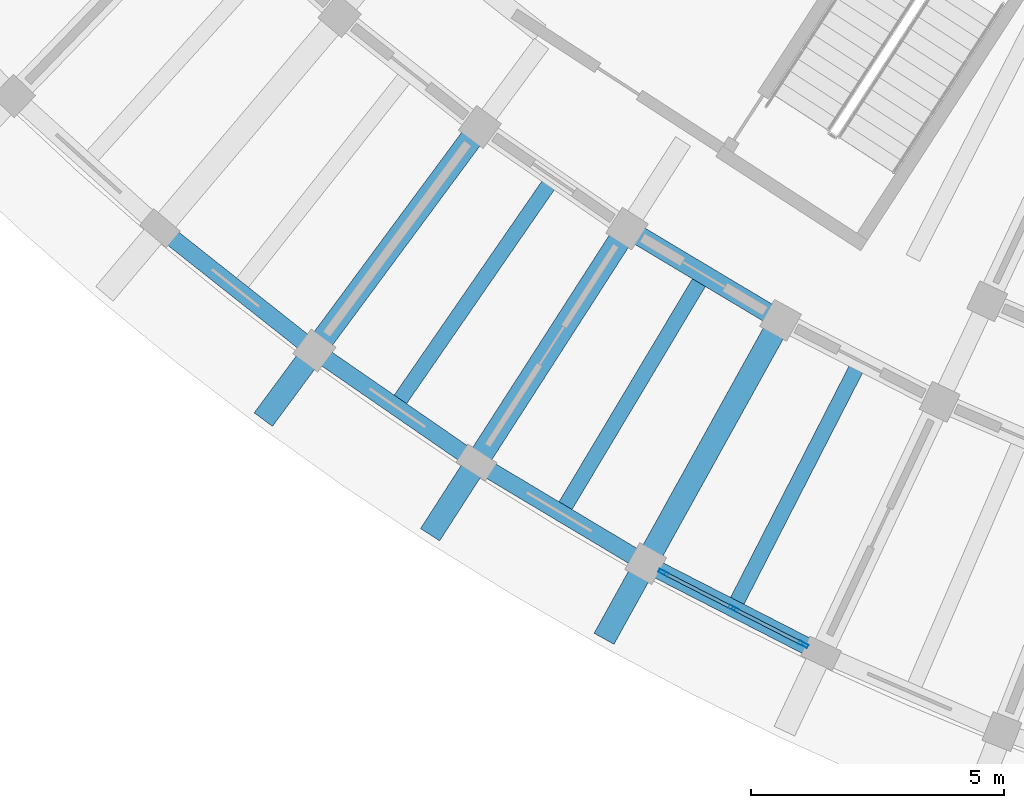
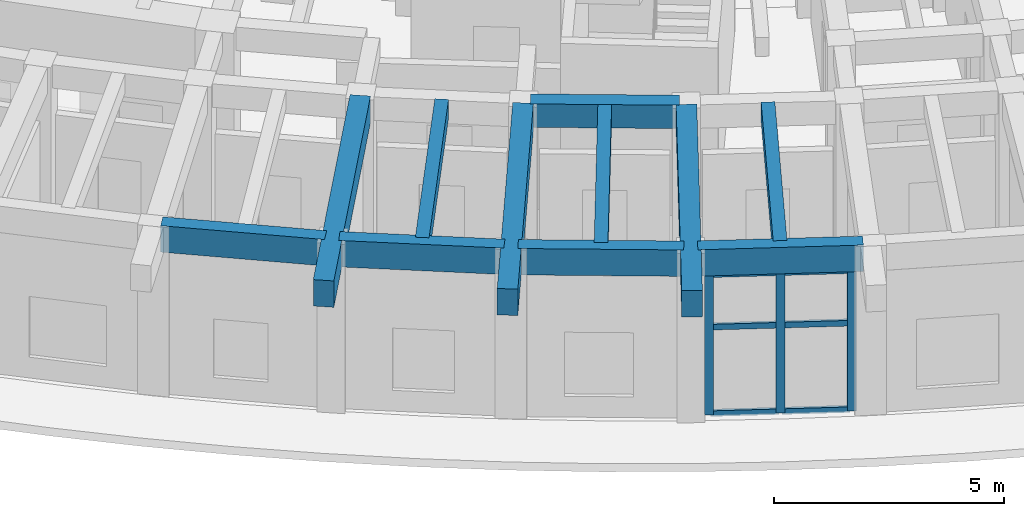
# One storey, part 6 of 132: 11 beams, 9 members, 1 element without a shape of its own.
"""IFC4 building model written with IfcOpenShell, lengths in metres."""

from ifc_helpers import new_model, si_unit, direction, frame, origin, origin_2d, place, context, subcontext, project, spatial, rectangle, hollow_rectangle, extrude, material, material_profile, profile_set, type_object, element, aggregate, save


model = new_model("IFC4")

# Units and contexts
model_context = context("Model", 3, precision=1e-05, world=origin(), true_north=direction((0.0, 1.0)))
body_context = subcontext(model_context, "Body", "Model", "MODEL_VIEW")
ifc_project = project(units=[si_unit("LENGTHUNIT", "METRE"), si_unit("AREAUNIT", "SQUARE_METRE"), si_unit("VOLUMEUNIT", "CUBIC_METRE"), si_unit("PLANEANGLEUNIT", "RADIAN"), si_unit("MASSUNIT", "GRAM", prefix="KILO")], contexts=[model_context])

# Site, building, storey
site_placement = place(None, origin())
site = spatial("IfcSite", under=ifc_project, at=site_placement, CompositionType="ELEMENT")
building_placement = place(site_placement, origin())
building = spatial("IfcBuilding", under=site, at=building_placement, Name="Tanwirah Colonnade Gardens", CompositionType="ELEMENT")
storey_placement = place(building_placement, origin())
storey = spatial("IfcBuildingStorey", under=building, at=storey_placement, Name="L00", CompositionType="ELEMENT", Elevation=0.0)

# Beams
ifc_material_1 = material(Name="Precast concrete C40/50", Category="concrete")
ifc_material_profile_1 = material_profile(ifc_material_1, rectangle(XDim=0.3798828125, YDim=0.6201171875, at=origin_2d()), Name="PC-BM 380x620")
ifc_profile_set_1 = profile_set([ifc_material_profile_1], Name="Precast concrete C40/50")
beam_type_1 = type_object("IfcBeamType", Name="BM-PC380", PredefinedType="BEAM", material=ifc_profile_set_1)
beam_1_placement = place(storey_placement, frame((35.88916015625, 18.96484375, 4.175048828125), z_axis=(0.858270604513, -0.513197398111, 0.0), x_axis=(0.513197398111, 0.858270604513, 0.0)))
element("IfcBeam", 1, at=beam_1_placement, inside=storey, type_object=beam_type_1, Name="Block C L00 Circumferential Beam 11-R2", PredefinedType="BEAM", context=body_context, shape_type="SweptSolid", body=[
    extrude(rectangle(XDim=0.3798828125, YDim=0.6201171875, at=origin_2d()), origin(), (0.0, 0.0, 1.0), 3.23681640625),
])
ifc_material_2 = material(Name="Precast concrete C45/55", Category="concrete")
ifc_material_profile_2 = material_profile(ifc_material_2, rectangle(XDim=0.449951171875, YDim=0.699951171875, at=origin_2d()), Name="PC-BM 450x700")
ifc_profile_set_2 = profile_set([ifc_material_profile_2], Name="Precast concrete C45/55")
beam_type_2 = type_object("IfcBeamType", Name="BM-PC450", PredefinedType="BEAM", material=ifc_profile_set_2)
for number, where, z_axis, x_axis, name in (
    (2, (32.760498046875, 20.930908203125, 4.135009765625), (-0.594806754627, -0.803868723518, 0.0), (0.803868723518, -0.594806754627, 0.0), "Block C L00 Outer Radial Precast Girder 10"),
    (3, (35.67919921875, 18.915771484375, 4.135009765625), (-0.540976349149, -0.841037805132, 0.0), (0.841037805132, -0.540976349149, 0.0), "Block C L00 Outer Radial Precast Girder 11"),
):
    element("IfcBeam", number, at=place(storey_placement, frame(where, z_axis=z_axis, x_axis=x_axis)), inside=storey, type_object=beam_type_2, Name=name, PredefinedType="BEAM", context=body_context, shape_type="SweptSolid", body=[
        extrude(rectangle(XDim=0.449951171875, YDim=0.699951171875, at=origin_2d()), origin(), (0.0, 0.0, 1.0), 7.050048828125),
    ])
beam_2_placement = place(storey_placement, frame((38.723388671875, 17.095703125, 4.135009765625), z_axis=(-0.484804753745, -0.874622404667, 0.0), x_axis=(0.874622404667, -0.484804753745, 0.0)))
element("IfcBeam", 4, at=beam_2_placement, inside=storey, type_object=beam_type_2, Name="Block C L00 Outer Radial Precast Girder 12", PredefinedType="BEAM", context=body_context, shape_type="SweptSolid", body=[
    extrude(rectangle(XDim=0.449951171875, YDim=0.699951171875, at=origin_2d()), origin(), (0.0, 0.0, 1.0), 7.05029296875),
])

# Curtain wall, members
ifc_material_3 = material(Name="Bronze-anodised aluminium and solar-control low-E glass", Category="aluminium")
curtain_wall_type = type_object("IfcCurtainWallType", Name="CW-LOB", PredefinedType="NOTDEFINED", material=ifc_material_3)
curtain_wall_placement = place(storey_placement, origin())
curtain_wall = element("IfcCurtainWall", 5, at=curtain_wall_placement, inside=storey, type_object=curtain_wall_type, Name="Curtain Wall CW-C-L00-OUT-12", PredefinedType="NOTDEFINED")
ifc_material_4 = material(Name="Bronze-anodised aluminium", Category="aluminium")
ifc_material_profile_3 = material_profile(ifc_material_4, hollow_rectangle(XDim=0.070068359375, YDim=0.199951171875, WallThickness=0.00390625, at=origin_2d()), Name="CW-MUL 70x200x4")
ifc_profile_set_3 = profile_set([ifc_material_profile_3], Name="Bronze-anodised aluminium")
member_type_1 = type_object("IfcMemberType", Name="CWM-70x200", PredefinedType="MULLION", material=ifc_profile_set_3)
member_1_placement = place(storey_placement, frame((36.481201171875, 12.236328125, 0.0), z_axis=(0.0, 0.0, 1.0), x_axis=(0.455932978269, 0.890014111869, 0.0)))
member_1 = element("IfcMember", 6, at=member_1_placement, type_object=member_type_1, Name="CW-LOB mullion 1", PredefinedType="MULLION", context=body_context, shape_type="SweptSolid", body=[
    extrude(hollow_rectangle(XDim=0.070068359375, YDim=0.199951171875, WallThickness=0.00390625, at=origin_2d()), origin(), (0.0, 0.0, 1.0), 3.7548828125),
])
member_2_placement = place(storey_placement, frame((37.86376953125, 11.528076171875, 0.0), z_axis=(0.0, 0.0, 1.0), x_axis=(0.455932978269, 0.890014111869, 0.0)))
member_2 = element("IfcMember", 7, at=member_2_placement, type_object=member_type_1, Name="CW-LOB mullion 2", PredefinedType="MULLION", context=body_context, shape_type="SweptSolid", body=[
    extrude(hollow_rectangle(XDim=0.070068359375, YDim=0.199951171875, WallThickness=0.00390625, at=origin_2d()), origin(), (0.0, 0.0, 1.0), 3.7548828125),
])
member_3_placement = place(storey_placement, frame((39.246337890625, 10.81982421875, 0.0), z_axis=(0.0, 0.0, 1.0), x_axis=(0.455932978269, 0.890014111869, 0.0)))
member_3 = element("IfcMember", 8, at=member_3_placement, type_object=member_type_1, Name="CW-LOB mullion 3", PredefinedType="MULLION", context=body_context, shape_type="SweptSolid", body=[
    extrude(hollow_rectangle(XDim=0.070068359375, YDim=0.199951171875, WallThickness=0.00390625, at=origin_2d()), origin(), (0.0, 0.0, 1.0), 3.7548828125),
])
ifc_material_profile_4 = material_profile(ifc_material_4, hollow_rectangle(XDim=0.070068359375, YDim=0.14990234375, WallThickness=0.00390625, at=origin_2d()), Name="CW-TRN 70x150x4")
ifc_profile_set_4 = profile_set([ifc_material_profile_4], Name="Bronze-anodised aluminium")
member_type_2 = type_object("IfcMemberType", Name="CWT-70x150", PredefinedType="USERDEFINED", material=ifc_profile_set_4)
member_4_placement = place(storey_placement, frame((36.51220703125, 12.220458984375, 0.034912109375), z_axis=(0.889973324591, -0.456012589209, 0.0), x_axis=(0.456012589209, 0.889973324591, 0.0)))
member_4 = element("IfcMember", 9, at=member_4_placement, type_object=member_type_2, Name="CW-LOB transom 1.1", ObjectType="TRANSOM", PredefinedType="USERDEFINED", context=body_context, shape_type="SweptSolid", body=[
    extrude(hollow_rectangle(XDim=0.070068359375, YDim=0.14990234375, WallThickness=0.00390625, at=origin_2d()), origin(), (0.0, 0.0, 1.0), 1.483642578125),
])
member_5_placement = place(storey_placement, frame((36.51220703125, 12.220458984375, 2.328125), z_axis=(0.889973324591, -0.456012589209, 0.0), x_axis=(0.456012589209, 0.889973324591, 0.0)))
member_5 = element("IfcMember", 10, at=member_5_placement, type_object=member_type_2, Name="CW-LOB transom 1.2", ObjectType="TRANSOM", PredefinedType="USERDEFINED", context=body_context, shape_type="SweptSolid", body=[
    extrude(hollow_rectangle(XDim=0.070068359375, YDim=0.14990234375, WallThickness=0.00390625, at=origin_2d()), origin(), (0.0, 0.0, 1.0), 1.483642578125),
])
member_6_placement = place(storey_placement, frame((36.51220703125, 12.220458984375, 3.719970703125), z_axis=(0.889973324591, -0.456012589209, 0.0), x_axis=(0.456012589209, 0.889973324591, 0.0)))
member_6 = element("IfcMember", 11, at=member_6_placement, type_object=member_type_2, Name="CW-LOB transom 1.3", ObjectType="TRANSOM", PredefinedType="USERDEFINED", context=body_context, shape_type="SweptSolid", body=[
    extrude(hollow_rectangle(XDim=0.070068359375, YDim=0.14990234375, WallThickness=0.00390625, at=origin_2d()), origin(), (0.0, 0.0, 1.0), 1.483642578125),
])
member_7_placement = place(storey_placement, frame((37.894775390625, 11.51220703125, 0.034912109375), z_axis=(0.889973324591, -0.456012589209, 0.0), x_axis=(0.456012589209, 0.889973324591, 0.0)))
member_7 = element("IfcMember", 12, at=member_7_placement, type_object=member_type_2, Name="CW-LOB transom 2.1", ObjectType="TRANSOM", PredefinedType="USERDEFINED", context=body_context, shape_type="SweptSolid", body=[
    extrude(hollow_rectangle(XDim=0.070068359375, YDim=0.14990234375, WallThickness=0.00390625, at=origin_2d()), origin(), (0.0, 0.0, 1.0), 1.483642578125),
])
member_8_placement = place(storey_placement, frame((37.894775390625, 11.51220703125, 2.328125), z_axis=(0.889973324591, -0.456012589209, 0.0), x_axis=(0.456012589209, 0.889973324591, 0.0)))
member_8 = element("IfcMember", 13, at=member_8_placement, type_object=member_type_2, Name="CW-LOB transom 2.2", ObjectType="TRANSOM", PredefinedType="USERDEFINED", context=body_context, shape_type="SweptSolid", body=[
    extrude(hollow_rectangle(XDim=0.070068359375, YDim=0.14990234375, WallThickness=0.00390625, at=origin_2d()), origin(), (0.0, 0.0, 1.0), 1.483642578125),
])
member_9_placement = place(storey_placement, frame((37.894775390625, 11.51220703125, 3.719970703125), z_axis=(0.889973324591, -0.456012589209, 0.0), x_axis=(0.456012589209, 0.889973324591, 0.0)))
member_9 = element("IfcMember", 14, at=member_9_placement, type_object=member_type_2, Name="CW-LOB transom 2.3", ObjectType="TRANSOM", PredefinedType="USERDEFINED", context=body_context, shape_type="SweptSolid", body=[
    extrude(hollow_rectangle(XDim=0.070068359375, YDim=0.14990234375, WallThickness=0.00390625, at=origin_2d()), origin(), (0.0, 0.0, 1.0), 1.483642578125),
])
aggregate(curtain_wall, [member_1, member_2, member_3, member_4, member_5, member_6, member_7, member_8, member_9])

# Beams
ifc_material_profile_5 = material_profile(ifc_material_1, rectangle(XDim=0.300048828125, YDim=0.5, at=origin_2d()), Name="PC-JST 300x500")
ifc_profile_set_5 = profile_set([ifc_material_profile_5], Name="Precast concrete C40/50")
beam_type_3 = type_object("IfcBeamType", Name="JST-PC300", PredefinedType="JOIST", material=ifc_profile_set_5)
for number, where, z_axis, x_axis, name in (
    (15, (34.220458984375, 19.924072265625, 4.235107421875), (-0.56820792868, -0.822885016138, 0.0), (0.822885016138, -0.56820792868, 0.0), "Block C L00 Precast Floor Joist 10"),
    (16, (37.20166015625, 18.006591796875, 4.235107421875), (-0.513157303227, -0.858294577721, 0.0), (0.858294577721, -0.513157303227, 0.0), "Block C L00 Precast Floor Joist 11"),
    (17, (40.302001953125, 16.287841796875, 4.235107421875), (-0.455936851617, -0.890012127635, 0.0), (0.890012127635, -0.455936851617, 0.0), "Block C L00 Precast Floor Joist 12"),
):
    element("IfcBeam", number, at=place(storey_placement, frame(where, z_axis=z_axis, x_axis=x_axis)), inside=storey, type_object=beam_type_3, Name=name, PredefinedType="JOIST", context=body_context, shape_type="SweptSolid", body=[
        extrude(rectangle(XDim=0.300048828125, YDim=0.5, at=origin_2d()), origin(), (0.0, 0.0, 1.0), 5.260009765625),
    ])
ifc_material_profile_6 = material_profile(ifc_material_2, rectangle(XDim=0.340087890625, YDim=0.699951171875, at=origin_2d()), Name="PC-SP 340x700")
ifc_profile_set_6 = profile_set([ifc_material_profile_6], Name="Precast concrete C45/55")
beam_type_4 = type_object("IfcBeamType", Name="SP-PC340", PredefinedType="SPANDREL", material=ifc_profile_set_6)
for number, where, z_axis, x_axis, name in (
    (18, (26.640869140625, 18.956298828125, 4.135009765625), (0.783971495357, -0.620796822211, 0.0), (0.620796822211, 0.783971495357, 0.0), "Block C L00 Circumferential Beam 9-R3"),
    (19, (29.70166015625, 16.545166015625, 4.135009765625), (0.822907478943, -0.568175396423, 0.0), (0.568175396423, 0.822907478943, 0.0), "Block C L00 Circumferential Beam 10-R3"),
):
    element("IfcBeam", number, at=place(storey_placement, frame(where, z_axis=z_axis, x_axis=x_axis)), inside=storey, type_object=beam_type_4, Name=name, PredefinedType="SPANDREL", context=body_context, shape_type="SweptSolid", body=[
        extrude(rectangle(XDim=0.340087890625, YDim=0.699951171875, at=origin_2d()), origin(), (0.0, 0.0, 1.0), 3.596923828125),
    ])
for number, where, z_axis, x_axis, name in (
    (20, (32.913818359375, 14.339111328125, 4.135009765625), (0.858282522832, -0.513177465407, 0.0), (0.513177465407, 0.858282522832, 0.0), "Block C L00 Circumferential Beam 11-R3"),
    (21, (36.26318359375, 12.347900390625, 4.135009765625), (0.890013134589, -0.455934885985, 0.0), (0.455934885985, 0.890013134589, 0.0), "Block C L00 Circumferential Beam 12-R3"),
):
    element("IfcBeam", number, at=place(storey_placement, frame(where, z_axis=z_axis, x_axis=x_axis)), inside=storey, type_object=beam_type_4, Name=name, PredefinedType="SPANDREL", context=body_context, shape_type="SweptSolid", body=[
        extrude(rectangle(XDim=0.340087890625, YDim=0.699951171875, at=origin_2d()), origin(), (0.0, 0.0, 1.0), 3.5966796875),
    ])

save(model, "model.ifc")
